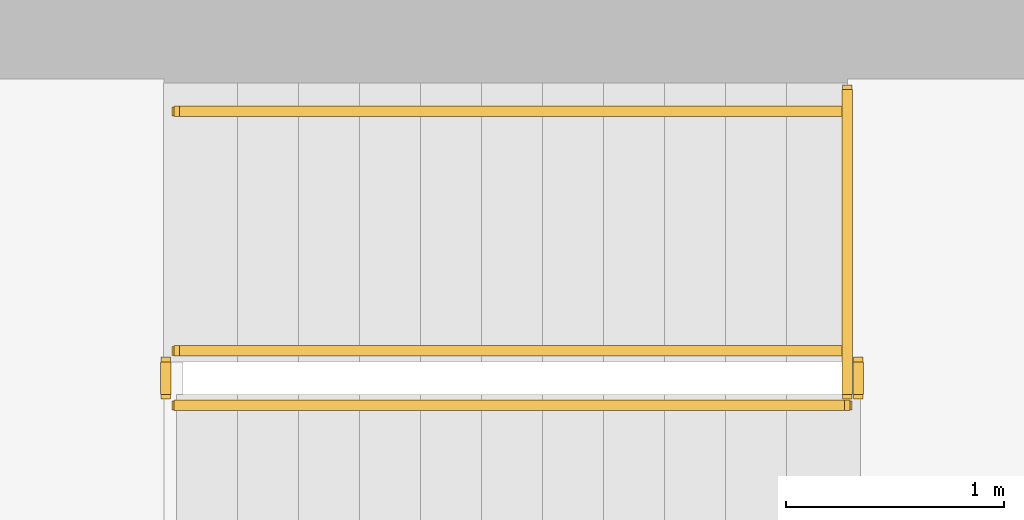
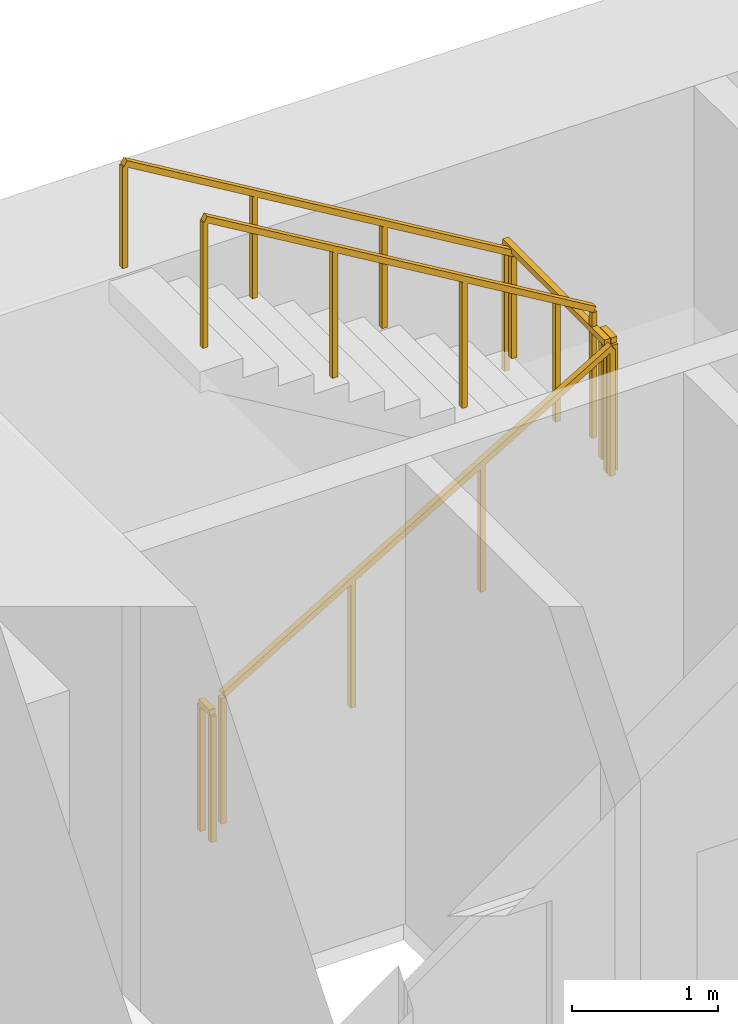
# One storey, part 14 of 15: 6 railings.
"""IFC4 building model written with IfcOpenShell, lengths in metres."""

from ifc_helpers import new_model, si_unit, direction, frame, origin, origin_2d, place, context, subcontext, project, spatial, rectangle, extrude, material, type_object, element, save


model = new_model("IFC4")

# Units and contexts
model_context = context("Model", 3, precision=1e-05, world=origin(), true_north=direction((0.0, 1.0)))
body_context = subcontext(model_context, "Body", "Model", "MODEL_VIEW")
ifc_project = project(units=[si_unit("LENGTHUNIT", "METRE"), si_unit("AREAUNIT", "SQUARE_METRE"), si_unit("VOLUMEUNIT", "CUBIC_METRE"), si_unit("PLANEANGLEUNIT", "RADIAN"), si_unit("MASSUNIT", "GRAM", prefix="KILO")], contexts=[model_context])

# Site, building, storey
site_placement = place(None, origin())
site = spatial("IfcSite", under=ifc_project, at=site_placement, CompositionType="ELEMENT")
building_placement = place(site_placement, origin())
building = spatial("IfcBuilding", under=site, at=building_placement, Name="Sennacour Bend Tower", CompositionType="ELEMENT")
storey_placement = place(building_placement, frame((0.0, 0.0, 41.0)))
storey = spatial("IfcBuildingStorey", under=building, at=storey_placement, Name="L08", CompositionType="ELEMENT", Elevation=41.0)

# Railings
ifc_material = material(Name="Stainless steel", Category="steel")
railing_type_1 = type_object("IfcRailingType", Name="RL-GUARD-1100", PredefinedType="GUARDRAIL", material=ifc_material)
railing_1_placement = place(storey_placement, frame((56.699951171875, 19.85009765625, 0.166748046875)))
element("IfcRailing", 1, at=railing_1_placement, inside=storey, type_object=railing_type_1, Name="L08 SA2 stair guard 1", PredefinedType="GUARDRAIL", context=body_context, shape_type="SweptSolid", body=[
    extrude(rectangle(XDim=0.048095703125, YDim=0.048095703125, at=origin_2d()), frame((0.0, 0.0, 1.076171875), z_axis=(0.859308565015, 0.0, 0.511457515432), x_axis=(0.0, 1.0, 0.0)), (0.0, 0.0, 1.0), 3.58447265625),
    extrude(rectangle(XDim=0.0419921875, YDim=0.0419921875, at=origin_2d()), origin(), (0.0, 0.0, 1.0), 1.052001953125),
    extrude(rectangle(XDim=0.0419921875, YDim=0.0419921875, at=origin_2d()), frame((1.026611328125, 0.0, 0.611083984375)), (0.0, 0.0, 1.0), 1.052001953125),
    extrude(rectangle(XDim=0.0419921875, YDim=0.0419921875, at=origin_2d()), frame((2.053466796875, 0.0, 1.22216796875)), (0.0, 0.0, 1.0), 1.052001953125),
    extrude(rectangle(XDim=0.0419921875, YDim=0.0419921875, at=origin_2d()), frame((3.080078125, 0.0, 1.833251953125)), (0.0, 0.0, 1.0), 1.052001953125),
])
railing_2_placement = place(storey_placement, frame((59.830078125, 19.89990234375, 2.0)))
element("IfcRailing", 2, at=railing_2_placement, inside=storey, type_object=railing_type_1, Name="L08 SA2 stair guard 2", PredefinedType="GUARDRAIL", context=body_context, shape_type="SweptSolid", body=[
    extrude(rectangle(XDim=0.048095703125, YDim=0.048095703125, at=origin_2d()), frame((0.0, 0.0, 1.076171875), z_axis=(0.0, 1.0, 0.0), x_axis=(-1.0, 0.0, 0.0)), (0.0, 0.0, 1.0), 0.150146484375),
    extrude(rectangle(XDim=0.0419921875, YDim=0.0419921875, at=origin_2d()), origin(), (0.0, 0.0, 1.0), 1.052001953125),
    extrude(rectangle(XDim=0.0419921875, YDim=0.0419921875, at=origin_2d()), frame((0.0, 0.150146484375, 0.0)), (0.0, 0.0, 1.0), 1.052001953125),
])
railing_3_placement = place(storey_placement, frame((59.780029296875, 20.10009765625, 2.166748046875)))
element("IfcRailing", 3, at=railing_3_placement, inside=storey, type_object=railing_type_1, Name="L08 SA2 stair guard 4", PredefinedType="GUARDRAIL", context=body_context, shape_type="SweptSolid", body=[
    extrude(rectangle(XDim=0.048095703125, YDim=0.048095703125, at=origin_2d()), frame((0.0, 0.0, 1.076171875), z_axis=(-0.859308565015, 0.0, 0.511457515432), x_axis=(0.0, -1.0, 0.0)), (0.0, 0.0, 1.0), 3.58447265625),
    extrude(rectangle(XDim=0.0419921875, YDim=0.0419921875, at=origin_2d()), origin(), (0.0, 0.0, 1.0), 1.052001953125),
    extrude(rectangle(XDim=0.0419921875, YDim=0.0419921875, at=origin_2d()), frame((-1.026611328125, 0.0, 0.611083984375)), (0.0, 0.0, 1.0), 1.052001953125),
    extrude(rectangle(XDim=0.0419921875, YDim=0.0419921875, at=origin_2d()), frame((-2.053466796875, 0.0, 1.22216796875)), (0.0, 0.0, 1.0), 1.052001953125),
    extrude(rectangle(XDim=0.0419921875, YDim=0.0419921875, at=origin_2d()), frame((-3.080078125, 0.0, 1.833251953125)), (0.0, 0.0, 1.0), 1.052001953125),
])
railing_4_placement = place(storey_placement, frame((56.64990234375, 19.89990234375, 0.0)))
element("IfcRailing", 4, at=railing_4_placement, inside=storey, type_object=railing_type_1, Name="L08 SA2 stair guard 5", PredefinedType="GUARDRAIL", context=body_context, shape_type="SweptSolid", body=[
    extrude(rectangle(XDim=0.048095703125, YDim=0.048095703125, at=origin_2d()), frame((0.0, 0.0, 1.076171875), z_axis=(0.0, 1.0, 0.0), x_axis=(-1.0, 0.0, 0.0)), (0.0, 0.0, 1.0), 0.150146484375),
    extrude(rectangle(XDim=0.0419921875, YDim=0.0419921875, at=origin_2d()), origin(), (0.0, 0.0, 1.0), 1.052001953125),
    extrude(rectangle(XDim=0.0419921875, YDim=0.0419921875, at=origin_2d()), frame((0.0, 0.150146484375, 0.0)), (0.0, 0.0, 1.0), 1.052001953125),
])
railing_5_placement = place(storey_placement, frame((59.780029296875, 19.89990234375, 2.0)))
element("IfcRailing", 5, at=railing_5_placement, inside=storey, type_object=railing_type_1, Name="L08 SA2 landing edge guard 19", PredefinedType="GUARDRAIL", context=body_context, shape_type="SweptSolid", body=[
    extrude(rectangle(XDim=0.048095703125, YDim=0.048095703125, at=origin_2d()), frame((0.0, 0.0, 1.076171875), z_axis=(0.0, 1.0, 0.0), x_axis=(-1.0, 0.0, 0.0)), (0.0, 0.0, 1.0), 1.400146484375),
    extrude(rectangle(XDim=0.0419921875, YDim=0.0419921875, at=origin_2d()), origin(), (0.0, 0.0, 1.0), 1.052001953125),
    extrude(rectangle(XDim=0.0419921875, YDim=0.0419921875, at=origin_2d()), frame((0.0, 0.7001953125, 0.0)), (0.0, 0.0, 1.0), 1.052001953125),
    extrude(rectangle(XDim=0.0419921875, YDim=0.0419921875, at=origin_2d()), frame((0.0, 1.400146484375, 0.0)), (0.0, 0.0, 1.0), 1.052001953125),
])
railing_type_2 = type_object("IfcRailingType", Name="RL-HANDRAIL-900", PredefinedType="HANDRAIL", material=ifc_material)
railing_6_placement = place(storey_placement, frame((59.780029296875, 21.199951171875, 2.166748046875)))
element("IfcRailing", 6, at=railing_6_placement, inside=storey, type_object=railing_type_2, Name="L08 SA2 stair handrail 2", PredefinedType="HANDRAIL", context=body_context, shape_type="SweptSolid", body=[
    extrude(rectangle(XDim=0.048095703125, YDim=0.048095703125, at=origin_2d()), frame((0.0, 0.0, 0.8759765625), z_axis=(-0.859308565015, 0.0, 0.511457515432), x_axis=(0.0, -1.0, 0.0)), (0.0, 0.0, 1.0), 3.58447265625),
    extrude(rectangle(XDim=0.0419921875, YDim=0.0419921875, at=origin_2d()), origin(), (0.0, 0.0, 1.0), 0.851806640625),
    extrude(rectangle(XDim=0.0419921875, YDim=0.0419921875, at=origin_2d()), frame((-1.026611328125, 0.0, 0.611083984375)), (0.0, 0.0, 1.0), 0.851806640625),
    extrude(rectangle(XDim=0.0419921875, YDim=0.0419921875, at=origin_2d()), frame((-2.053466796875, 0.0, 1.22216796875)), (0.0, 0.0, 1.0), 0.851806640625),
    extrude(rectangle(XDim=0.0419921875, YDim=0.0419921875, at=origin_2d()), frame((-3.080078125, 0.0, 1.833251953125)), (0.0, 0.0, 1.0), 0.851806640625),
])

save(model, "model.ifc")
